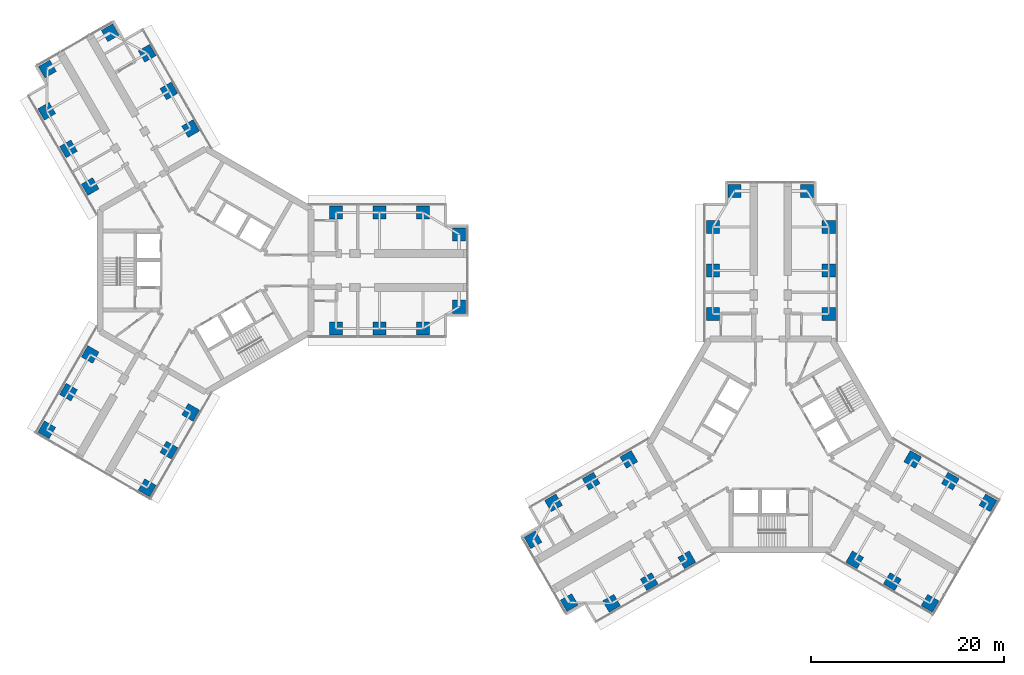
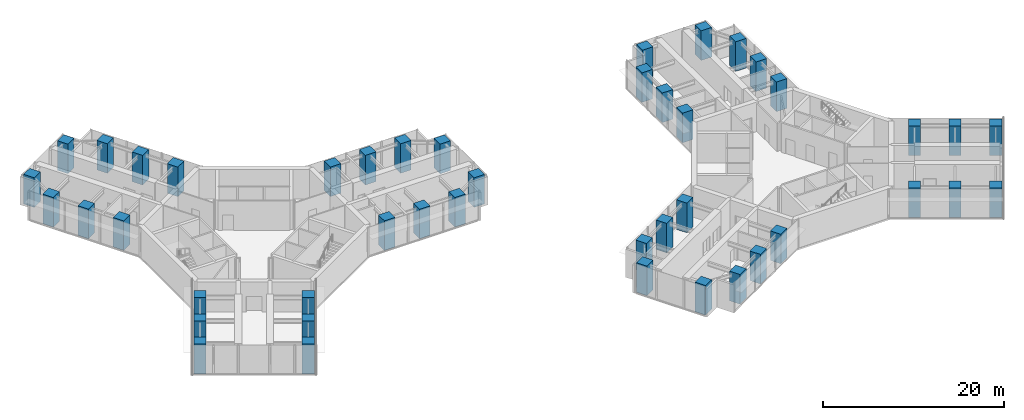
# One storey, part 1 of 21: 44 columns.
"""IFC4 building model written with IfcOpenShell, lengths in metres."""

import ifcopenshell
import ifcopenshell.guid

model = None  # the IFC model being written
_history = None  # IfcOwnerHistory: only IFC2X3 demands one
_inside = {}  # id of a spatial element -> (the spatial element, [elements in it])
_under = {}  # id of a project, library or spatial element -> (it, [spatial elements below it])
_declared = {}  # id of a project -> (the project, [libraries it declares])
_typed = {}  # id of a type object -> (the type object, [elements of that type])
_made_of = {}  # id of a material, layer set ... -> (it, [elements and type objects made of it])


def new_model(schema):
    """Start an empty IFC model of exactly this schema.

    Asked for "IFC4X3", IfcOpenShell would pick the latest addendum, in which some entities
    have other attributes; the version numbers below select the first issue.
    IFC2X3 requires an IfcOwnerHistory on every rooted entity: one is made here for all.
    """
    global model, _history
    if schema == "IFC4X3":
        model = ifcopenshell.file(schema_version=(4, 3, 0, 0))
    else:
        model = ifcopenshell.file(schema=schema)
    _inside.clear()
    _under.clear()
    _declared.clear()
    _typed.clear()
    _made_of.clear()
    _history = None
    if model.schema == "IFC2X3":
        org = make("IfcOrganization", Name="unknown")
        user = make(
            "IfcPersonAndOrganization",
            ThePerson=make("IfcPerson", FamilyName="unknown"),
            TheOrganization=org,
        )
        app = make(
            "IfcApplication",
            ApplicationDeveloper=org,
            Version="unknown",
            ApplicationFullName="unknown",
            ApplicationIdentifier="unknown",
        )
        _history = make(
            "IfcOwnerHistory",
            OwningUser=user,
            OwningApplication=app,
            ChangeAction="ADDED",
            CreationDate=0,
        )
    return model


def make(cls, **values):
    """One entity of the class cls with the attributes given. An attribute that is None is left unset."""
    return model.create_entity(
        cls, **{name: value for name, value in values.items() if value is not None}
    )


def rooted(cls, **values):
    """An entity with a GlobalId (a new one), such as an element, a storey or a relation."""
    return make(cls, GlobalId=ifcopenshell.guid.new(), OwnerHistory=_history, **values)


def si_unit(unit_type, name, prefix=None):
    """IfcSIUnit, for example si_unit("LENGTHUNIT", "METRE", prefix="MILLI")."""
    return make("IfcSIUnit", UnitType=unit_type, Prefix=prefix, Name=name)


def assignment(units):
    """IfcUnitAssignment: the units of a project."""
    return None if units is None else make("IfcUnitAssignment", Units=units)


def point(xyz):
    """IfcCartesianPoint."""
    return None if xyz is None else make("IfcCartesianPoint", Coordinates=xyz)


def direction(xyz):
    """IfcDirection."""
    return None if xyz is None else make("IfcDirection", DirectionRatios=xyz)


def frame(location, z_axis=None, x_axis=None):
    """IfcAxis2Placement3D, a coordinate frame: its origin and axes. An axis left out is left unset."""
    return make(
        "IfcAxis2Placement3D",
        Location=point(location),
        Axis=direction(z_axis),
        RefDirection=direction(x_axis),
    )


def frame_2d(location, x_axis=None):
    """IfcAxis2Placement2D, a coordinate frame in the plane: its origin and x axis."""
    return make(
        "IfcAxis2Placement2D", Location=point(location), RefDirection=direction(x_axis)
    )


def origin():
    """The frame at (0, 0, 0) with its axes left unset."""
    return frame((0.0, 0.0, 0.0))


def origin_2d():
    """The frame at (0, 0) in the plane with its x axis left unset."""
    return frame_2d((0.0, 0.0))


def place(relative_to, where):
    """IfcLocalPlacement: puts the frame where relative to a parent placement (None: the world)."""
    return make(
        "IfcLocalPlacement", PlacementRelTo=relative_to, RelativePlacement=where
    )


def context(
    kind, dimensions, precision=None, world=None, true_north=None, identifier=None
):
    """IfcGeometricRepresentationContext, for example the 3D "Model" context."""
    return make(
        "IfcGeometricRepresentationContext",
        ContextIdentifier=identifier,
        ContextType=kind,
        CoordinateSpaceDimension=dimensions,
        Precision=precision,
        WorldCoordinateSystem=world,
        TrueNorth=true_north,
    )


def subcontext(parent, identifier, kind, view, scale=None):
    """IfcGeometricRepresentationSubContext, for example "Body" below "Model"."""
    return make(
        "IfcGeometricRepresentationSubContext",
        ContextIdentifier=identifier,
        ContextType=kind,
        ParentContext=parent,
        TargetScale=scale,
        TargetView=view,
    )


def project(units=None, contexts=None):
    """IfcProject with its units and contexts."""
    return rooted(
        "IfcProject",
        Name="project",
        RepresentationContexts=contexts,
        UnitsInContext=assignment(units),
    )


def spatial(cls, under=None, at=None, **own):
    """A site, building, storey or space (cls), placed at a placement, below another one or the project."""
    s = rooted(cls, ObjectPlacement=at, **own)
    if under is not None:
        _under.setdefault(under.id(), (under, []))[1].append(s)
    return s


def profile(cls, at=None, kind="AREA", **sizes):
    """A parametric profile (cls). Its sizes go by their IFC names, for example OverallWidth=200.0."""
    return make(cls, ProfileType=kind, Position=at, **sizes)


def rectangle(**sizes):
    """IfcRectangleProfileDef."""
    return profile("IfcRectangleProfileDef", **sizes)


def extrude(swept, where, along, depth):
    """IfcExtrudedAreaSolid: the profile swept, set in the frame where, extruded along a direction by depth."""
    return make(
        "IfcExtrudedAreaSolid",
        SweptArea=swept,
        Position=where,
        ExtrudedDirection=direction(along),
        Depth=depth,
    )


def shape(context_of_items, identifier, shape_type, items):
    """IfcShapeRepresentation: the items that make up one representation, for example the "Body"."""
    return make(
        "IfcShapeRepresentation",
        ContextOfItems=context_of_items,
        RepresentationIdentifier=identifier,
        RepresentationType=shape_type,
        Items=items,
    )


def material(Name=None, Category=None):
    """IfcMaterial."""
    return make("IfcMaterial", Name=Name, Category=Category)


def material_profile(
    of_material, cross_section, Name=None, Category=None, Priority=None
):
    """IfcMaterialProfile: a cross section and its material."""
    return make(
        "IfcMaterialProfile",
        Name=Name,
        Material=of_material,
        Profile=cross_section,
        Priority=Priority,
        Category=Category,
    )


def profile_set(profiles, Name=None, composite=None):
    """IfcMaterialProfileSet."""
    return make(
        "IfcMaterialProfileSet",
        Name=Name,
        MaterialProfiles=profiles,
        CompositeProfile=composite,
    )


def made_of(thing, what):
    """Note that an element or type object is made of a material, layer set ...; save() writes the relation."""
    if what is not None:
        _made_of.setdefault(what.id(), (what, []))[1].append(thing)
    return thing


def type_object(cls, material=None, **own):
    """A type object (cls), such as IfcWallType, which elements share."""
    return made_of(rooted(cls, **own), material)


def element(
    cls,
    number,
    at=None,
    inside=None,
    cuts=None,
    type_object=None,
    material=None,
    context=None,
    identifier="Body",
    shape_type=None,
    held_by="IfcProductDefinitionShape",
    body=None,
    shapes=None,
    **own,
):
    """One element of the class cls, such as IfcWall. Its Tag is "e" and its number.

    at: its placement. inside: the storey or other place that contains it. cuts: it is an
    opening in that element (IfcRelVoidsElement). A single representation is given by context,
    identifier, shape_type and body (its items); several are given by shapes. held_by: the class
    of the entity that holds the representations. save() writes the other relations.
    """
    e = rooted(cls, Tag="e%d" % number, ObjectPlacement=at, **own)
    if body is not None:
        shapes = [shape(context, identifier, shape_type, body)]
    if shapes is not None:
        e.Representation = make(held_by, Representations=shapes)
    if inside is not None:
        _inside.setdefault(inside.id(), (inside, []))[1].append(e)
    if cuts is not None:
        rooted(
            "IfcRelVoidsElement", RelatingBuildingElement=cuts, RelatedOpeningElement=e
        )
    if type_object is not None:
        _typed.setdefault(type_object.id(), (type_object, []))[1].append(e)
    return made_of(e, material)


def aggregate(whole, parts):
    """IfcRelAggregates: a whole, such as a stair, and the parts it consists of."""
    return rooted("IfcRelAggregates", RelatingObject=whole, RelatedObjects=parts)


def save(model, path):
    """Write the relations noted so far, then the file.

    IfcRelAggregates (storeys below a building ...), IfcRelContainedInSpatialStructure (elements
    in a storey), IfcRelDefinesByType, IfcRelAssociatesMaterial and IfcRelDeclares: one each for
    every whole, place, type object, material and project.
    """
    for whole, parts in _under.values():
        aggregate(whole, parts)
    for where, things in _inside.values():
        rooted(
            "IfcRelContainedInSpatialStructure",
            RelatedElements=things,
            RelatingStructure=where,
        )
    for kind, things in _typed.values():
        rooted("IfcRelDefinesByType", RelatedObjects=things, RelatingType=kind)
    for what, things in _made_of.values():
        rooted("IfcRelAssociatesMaterial", RelatedObjects=things, RelatingMaterial=what)
    for by, libraries in _declared.values():
        rooted("IfcRelDeclares", RelatingContext=by, RelatedDefinitions=libraries)
    model.write(path)


model = new_model("IFC4")

# Units and contexts
model_context = context("Model", 3, precision=1e-05, world=origin(), true_north=direction((0.0, 1.0)))
body_context = subcontext(model_context, "Body", "Model", "MODEL_VIEW")
ifc_project = project(units=[si_unit("LENGTHUNIT", "METRE"), si_unit("AREAUNIT", "SQUARE_METRE"), si_unit("VOLUMEUNIT", "CUBIC_METRE"), si_unit("PLANEANGLEUNIT", "RADIAN"), si_unit("MASSUNIT", "GRAM", prefix="KILO")], contexts=[model_context])

# Site, building, storey
site_placement = place(None, origin())
site = spatial("IfcSite", under=ifc_project, at=site_placement, CompositionType="ELEMENT")
building_placement = place(site_placement, origin())
building = spatial("IfcBuilding", under=site, at=building_placement, Name="Upepo Twin Towers", CompositionType="ELEMENT")
storey_placement = place(building_placement, frame((0.0, 0.0, 101.5)))
storey = spatial("IfcBuildingStorey", under=building, at=storey_placement, Name="L24", CompositionType="ELEMENT", Elevation=101.5)

# Columns
ifc_material = material(Name="Concrete C60/75", Category="concrete")
ifc_material_profile = material_profile(ifc_material, rectangle(XDim=1.35009765625, YDim=1.35009765625, at=origin_2d()), Name="RC 1350x1350")
ifc_profile_set = profile_set([ifc_material_profile], Name="Concrete C60/75")
column_type = type_object("IfcColumnType", Name="Tower column RC 1350x1350", PredefinedType="COLUMN", material=ifc_profile_set)
for number, where, z_axis, x_axis, name in (
    (1, (13.5, 6.0, 0.0), (0.0, 0.0, 1.0), (1.0, 0.0, 0.0), "T1 column AL135"),
    (2, (13.5, -6.0, 0.0), (0.0, 0.0, 1.0), (1.0, 0.0, 0.0), "T1 column AR135"),
    (3, (18.0, 6.0, 0.0), (0.0, 0.0, 1.0), (1.0, 0.0, 0.0), "T1 column AL180"),
    (4, (18.0, -6.0, 0.0), (0.0, 0.0, 1.0), (1.0, 0.0, 0.0), "T1 column AR180"),
    (5, (22.5, 6.0, 0.0), (0.0, 0.0, 1.0), (1.0, 0.0, 0.0), "T1 column AL225"),
    (6, (22.5, -6.0, 0.0), (0.0, 0.0, 1.0), (1.0, 0.0, 0.0), "T1 column AR225"),
    (7, (26.25, 3.75, 0.0), (0.0, 0.0, 1.0), (1.0, 0.0, 0.0), "T1 column ALN"),
    (8, (26.25, -3.75, 0.0), (0.0, 0.0, 1.0), (1.0, 0.0, 0.0), "T1 column ARN"),
    (9, (-11.946044921875, 8.69140625, 0.0), (0.0, 0.0, 1.0), (0.866025403784, 0.5, 0.0), "T1 column BL135"),
    (10, (-1.553955078125, 14.69140625, 0.0), (0.0, 0.0, 1.0), (0.866025403784, 0.5, 0.0), "T1 column BR135"),
    (11, (-14.196044921875, 12.58837890625, 0.0), (0.0, 0.0, 1.0), (0.866025403784, 0.5, 0.0), "T1 column BL180"),
    (12, (-3.803955078125, 18.58837890625, 0.0), (0.0, 0.0, 1.0), (0.866025403784, 0.5, 0.0), "T1 column BR180"),
    (13, (-16.446044921875, 16.485595703125, 0.0), (0.0, 0.0, 1.0), (0.866025403784, 0.5, 0.0), "T1 column BL225"),
    (14, (-6.053955078125, 22.485595703125, 0.0), (0.0, 0.0, 1.0), (0.866025403784, 0.5, 0.0), "T1 column BR225"),
    (15, (-16.37255859375, 20.858154296875, 0.0), (0.0, 0.0, 1.0), (0.866025403784, 0.5, 0.0), "T1 column BLN"),
    (16, (-9.87744140625, 24.608154296875, 0.0), (0.0, 0.0, 1.0), (0.866025403784, 0.5, 0.0), "T1 column BRN"),
    (17, (-1.553955078125, -14.69140625, 0.0), (0.0, 0.0, 1.0), (0.5, 0.866025403784, 0.0), "T1 column CL135"),
    (18, (-11.946044921875, -8.69140625, 0.0), (0.0, 0.0, 1.0), (0.5, 0.866025403784, 0.0), "T1 column CR135"),
    (19, (-3.803955078125, -18.58837890625, 0.0), (0.0, 0.0, 1.0), (0.5, 0.866025403784, 0.0), "T1 column CL180"),
    (20, (-14.196044921875, -12.58837890625, 0.0), (0.0, 0.0, 1.0), (0.5, 0.866025403784, 0.0), "T1 column CR180"),
    (21, (-6.053955078125, -22.485595703125, 0.0), (0.0, 0.0, 1.0), (0.5, 0.866025403784, 0.0), "T1 column CL225"),
    (22, (-16.446044921875, -16.485595703125, 0.0), (0.0, 0.0, 1.0), (0.5, 0.866025403784, 0.0), "T1 column CR225"),
    (23, (52.5, -4.5, 0.0), (0.0, 0.0, 1.0), (1.0, 0.0, 0.0), "T2 column AL135"),
    (24, (64.5, -4.5, 0.0), (0.0, 0.0, 1.0), (1.0, 0.0, 0.0), "T2 column AR135"),
    (25, (52.5, 0.0, 0.0), (0.0, 0.0, 1.0), (1.0, 0.0, 0.0), "T2 column AL180"),
    (26, (64.5, 0.0, 0.0), (0.0, 0.0, 1.0), (1.0, 0.0, 0.0), "T2 column AR180"),
    (27, (52.5, 4.5, 0.0), (0.0, 0.0, 1.0), (1.0, 0.0, 0.0), "T2 column AL225"),
    (28, (64.5, 4.5, 0.0), (0.0, 0.0, 1.0), (1.0, 0.0, 0.0), "T2 column AR225"),
    (29, (54.75, 8.25, 0.0), (0.0, 0.0, 1.0), (1.0, 0.0, 0.0), "T2 column ALN"),
    (30, (62.25, 8.25, 0.0), (0.0, 0.0, 1.0), (1.0, 0.0, 0.0), "T2 column ARN"),
    (31, (49.80859375, -29.946044921875, 0.0), (0.0, 0.0, 1.0), (0.866025403784, 0.5, 0.0), "T2 column BL135"),
    (32, (43.80859375, -19.553955078125, 0.0), (0.0, 0.0, 1.0), (0.866025403784, 0.5, 0.0), "T2 column BR135"),
    (33, (45.91162109375, -32.196044921875, 0.0), (0.0, 0.0, 1.0), (0.866025403784, 0.5, 0.0), "T2 column BL180"),
    (34, (39.91162109375, -21.803955078125, 0.0), (0.0, 0.0, 1.0), (0.866025403784, 0.5, 0.0), "T2 column BR180"),
    (35, (42.014404296875, -34.446044921875, 0.0), (0.0, 0.0, 1.0), (0.866025403784, 0.5, 0.0), "T2 column BL225"),
    (36, (36.014404296875, -24.053955078125, 0.0), (0.0, 0.0, 1.0), (0.866025403784, 0.5, 0.0), "T2 column BR225"),
    (37, (37.641845703125, -34.37255859375, 0.0), (0.0, 0.0, 1.0), (0.866025403784, 0.5, 0.0), "T2 column BLN"),
    (38, (33.891845703125, -27.87744140625, 0.0), (0.0, 0.0, 1.0), (0.866025403784, 0.5, 0.0), "T2 column BRN"),
    (39, (73.19140625, -19.553955078125, 0.0), (0.0, 0.0, 1.0), (0.5, 0.866025403784, 0.0), "T2 column CL135"),
    (40, (67.19140625, -29.946044921875, 0.0), (0.0, 0.0, 1.0), (0.5, 0.866025403784, 0.0), "T2 column CR135"),
    (41, (77.08837890625, -21.803955078125, 0.0), (0.0, 0.0, 1.0), (0.5, 0.866025403784, 0.0), "T2 column CL180"),
    (42, (71.08837890625, -32.196044921875, 0.0), (0.0, 0.0, 1.0), (0.5, 0.866025403784, 0.0), "T2 column CR180"),
    (43, (80.985595703125, -24.053955078125, 0.0), (0.0, 0.0, 1.0), (0.5, 0.866025403784, 0.0), "T2 column CL225"),
    (44, (74.985595703125, -34.446044921875, 0.0), (0.0, 0.0, 1.0), (0.5, 0.866025403784, 0.0), "T2 column CR225"),
):
    element("IfcColumn", number, at=place(storey_placement, frame(where, z_axis=z_axis, x_axis=x_axis)), inside=storey, type_object=column_type, Name=name, PredefinedType="COLUMN", context=body_context, shape_type="SweptSolid", body=[
        extrude(rectangle(XDim=1.35009765625, YDim=1.35009765625, at=origin_2d()), origin(), (0.0, 0.0, 1.0), 4.0),
    ])

save(model, "model.ifc")
